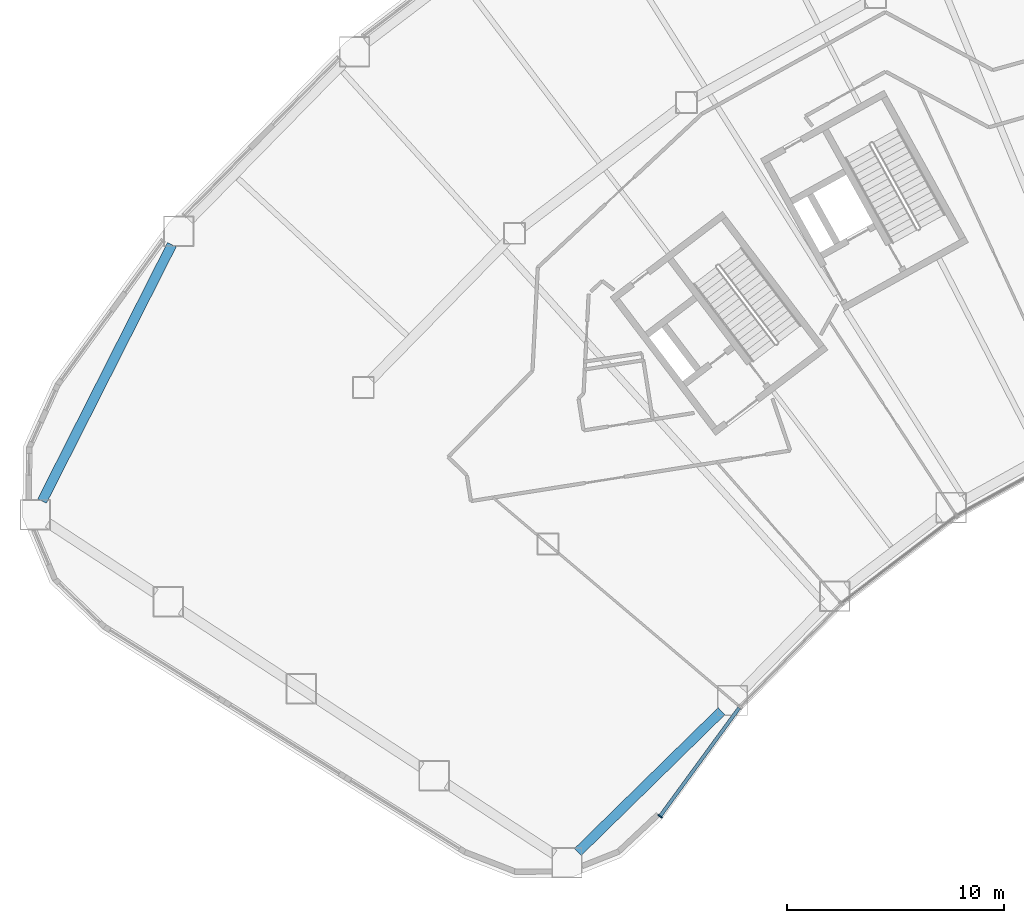
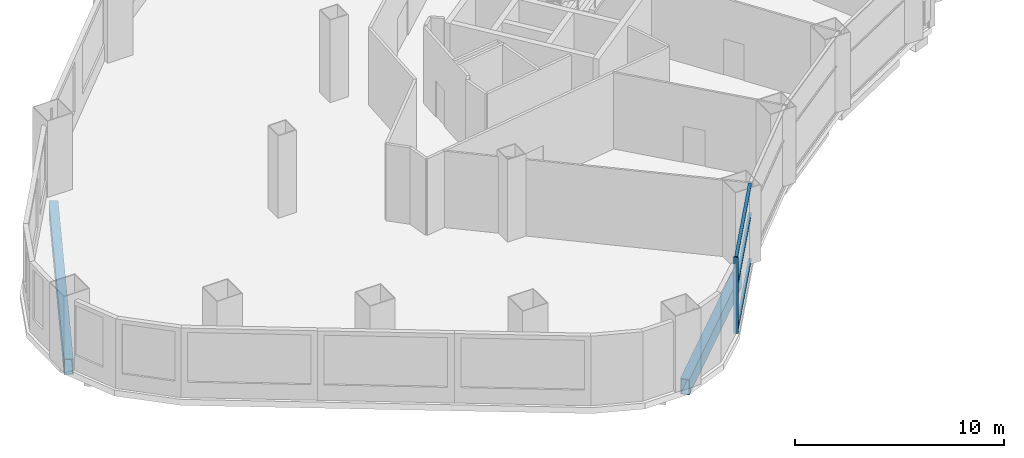
# One storey, part 3 of 26: 4 members, 2 beams, 1 element without a shape of its own.
"""IFC4 building model written with IfcOpenShell, lengths in metres."""

from ifc_helpers import new_model, si_unit, direction, frame, origin, origin_2d, place, context, subcontext, project, spatial, rectangle, hollow_rectangle, extrude, material, layer, layer_set, material_profile, profile_set, type_object, element, aggregate, save


model = new_model("IFC4")

# Units and contexts
model_context = context("Model", 3, precision=1e-05, world=origin(), true_north=direction((0.0, 1.0)))
body_context = subcontext(model_context, "Body", "Model", "MODEL_VIEW")
ifc_project = project(units=[si_unit("LENGTHUNIT", "METRE"), si_unit("AREAUNIT", "SQUARE_METRE"), si_unit("VOLUMEUNIT", "CUBIC_METRE"), si_unit("PLANEANGLEUNIT", "RADIAN"), si_unit("MASSUNIT", "GRAM", prefix="KILO")], contexts=[model_context])

# Site, building, storey
site_placement = place(None, origin())
site = spatial("IfcSite", under=ifc_project, at=site_placement, CompositionType="ELEMENT")
building_placement = place(site_placement, origin())
building = spatial("IfcBuilding", under=site, at=building_placement, Name="Tuul Gate Civic Tower", CompositionType="ELEMENT")
storey_placement = place(building_placement, frame((0.0, 0.0, 7.5)))
storey = spatial("IfcBuildingStorey", under=building, at=storey_placement, Name="Level 01", CompositionType="ELEMENT", Elevation=7.5)

# Curtain wall, members
ifc_material_1 = material(Name="Aluminium", Category="aluminium")
ifc_layer = layer(ifc_material_1, 0.199951171875)
ifc_layer_set = layer_set([ifc_layer], Name="Aluminium")
curtain_wall_type = type_object("IfcCurtainWallType", Name="Curtain wall CW6", PredefinedType="NOTDEFINED", material=ifc_layer_set)
curtain_wall_placement = place(storey_placement, origin())
curtain_wall = element("IfcCurtainWall", 1, at=curtain_wall_placement, inside=storey, type_object=curtain_wall_type, Name="Curtain wall CW6", PredefinedType="NOTDEFINED")
ifc_material_2 = material(Name="Aluminium", Category="aluminium")
ifc_material_profile_1 = material_profile(ifc_material_2, rectangle(XDim=0.239990234375, YDim=0.06005859375, at=origin_2d()), Name="CW6 mullion")
ifc_profile_set_1 = profile_set([ifc_material_profile_1], Name="Aluminium")
member_type_1 = type_object("IfcMemberType", Name="CW6 mullion", PredefinedType="MULLION", material=ifc_profile_set_1)
member_1_placement = place(storey_placement, frame((-38.8232421875, -35.23974609375, 0.0), z_axis=(0.0, 0.0, 1.0), x_axis=(-0.807581267597, 0.589756302404, 0.0)))
member_1 = element("IfcMember", 2, at=member_1_placement, type_object=member_type_1, Name="Mullion", PredefinedType="MULLION", context=body_context, shape_type="SweptSolid", body=[
    extrude(rectangle(XDim=0.239990234375, YDim=0.06005859375, at=origin_2d()), origin(), (0.0, 0.0, 1.0), 4.449951171875),
])
ifc_material_3 = material(Name="Aluminium", Category="aluminium")
ifc_material_profile_2 = material_profile(ifc_material_3, rectangle(XDim=0.159912109375, YDim=0.06005859375, at=origin_2d()), Name="CW6 transom")
ifc_profile_set_2 = profile_set([ifc_material_profile_2], Name="Aluminium")
member_type_2 = type_object("IfcMemberType", Name="CW6 transom", PredefinedType="USERDEFINED", material=ifc_profile_set_2)
member_2_placement = place(storey_placement, frame((-38.8056640625, -35.215576171875, 0.030029296875), z_axis=(0.589756445939, 0.807581162778, 0.0), x_axis=(-0.807581162778, 0.589756445939, 0.0)))
member_2 = element("IfcMember", 3, at=member_2_placement, type_object=member_type_2, Name="Transom", ObjectType="TRANSOM", PredefinedType="USERDEFINED", context=body_context, shape_type="SweptSolid", body=[
    extrude(rectangle(XDim=0.159912109375, YDim=0.06005859375, at=origin_2d()), origin(), (0.0, 0.0, 1.0), 6.14208984375),
])
member_3_placement = place(storey_placement, frame((-38.8056640625, -35.215576171875, 2.699951171875), z_axis=(0.589756445939, 0.807581162778, 0.0), x_axis=(-0.807581162778, 0.589756445939, 0.0)))
member_3 = element("IfcMember", 4, at=member_3_placement, type_object=member_type_2, Name="Transom", ObjectType="TRANSOM", PredefinedType="USERDEFINED", context=body_context, shape_type="SweptSolid", body=[
    extrude(rectangle(XDim=0.159912109375, YDim=0.06005859375, at=origin_2d()), origin(), (0.0, 0.0, 1.0), 6.14208984375),
])
member_4_placement = place(storey_placement, frame((-38.8056640625, -35.215576171875, 4.419921875), z_axis=(0.589756445939, 0.807581162778, 0.0), x_axis=(-0.807581162778, 0.589756445939, 0.0)))
member_4 = element("IfcMember", 5, at=member_4_placement, type_object=member_type_2, Name="Transom", ObjectType="TRANSOM", PredefinedType="USERDEFINED", context=body_context, shape_type="SweptSolid", body=[
    extrude(rectangle(XDim=0.159912109375, YDim=0.06005859375, at=origin_2d()), origin(), (0.0, 0.0, 1.0), 6.14208984375),
])
aggregate(curtain_wall, [member_1, member_2, member_3, member_4])

# Beams
ifc_material_4 = material(Name="Steel S355", Category="steel")
ifc_material_profile_3 = material_profile(ifc_material_4, hollow_rectangle(XDim=0.449951171875, YDim=0.89990234375, WallThickness=0.02490234375, at=origin_2d()), Name="BOX900x450x25")
ifc_profile_set_3 = profile_set([ifc_material_profile_3], Name="Steel S355")
beam_type = type_object("IfcBeamType", Name="STR-SPANDREL BEAM-BOX900x450x25", PredefinedType="BEAM", material=ifc_profile_set_3)
beam_1_placement = place(storey_placement, frame((-61.277099609375, -8.95263671875, -0.800048828125), z_axis=(-0.451678979782, -0.892180530623, 0.0), x_axis=(0.892180530623, -0.451678979782, 0.0)))
element("IfcBeam", 6, at=beam_1_placement, inside=storey, type_object=beam_type, Name="Spandrel beam", PredefinedType="BEAM", context=body_context, shape_type="SweptSolid", body=[
    extrude(hollow_rectangle(XDim=0.449951171875, YDim=0.89990234375, WallThickness=0.02490234375, at=origin_2d()), origin(), (0.0, 0.0, 1.0), 13.214599609375),
])
beam_2_placement = place(storey_placement, frame((-42.60302734375, -36.884033203125, -0.800048828125), z_axis=(0.714257932821, 0.699882565437, 0.0), x_axis=(-0.699882565437, 0.714257932821, 0.0)))
element("IfcBeam", 7, at=beam_2_placement, inside=storey, type_object=beam_type, Name="Spandrel beam", PredefinedType="BEAM", context=body_context, shape_type="SweptSolid", body=[
    extrude(hollow_rectangle(XDim=0.449951171875, YDim=0.89990234375, WallThickness=0.02490234375, at=origin_2d()), origin(), (0.0, 0.0, 1.0), 9.255859375),
])

save(model, "model.ifc")
